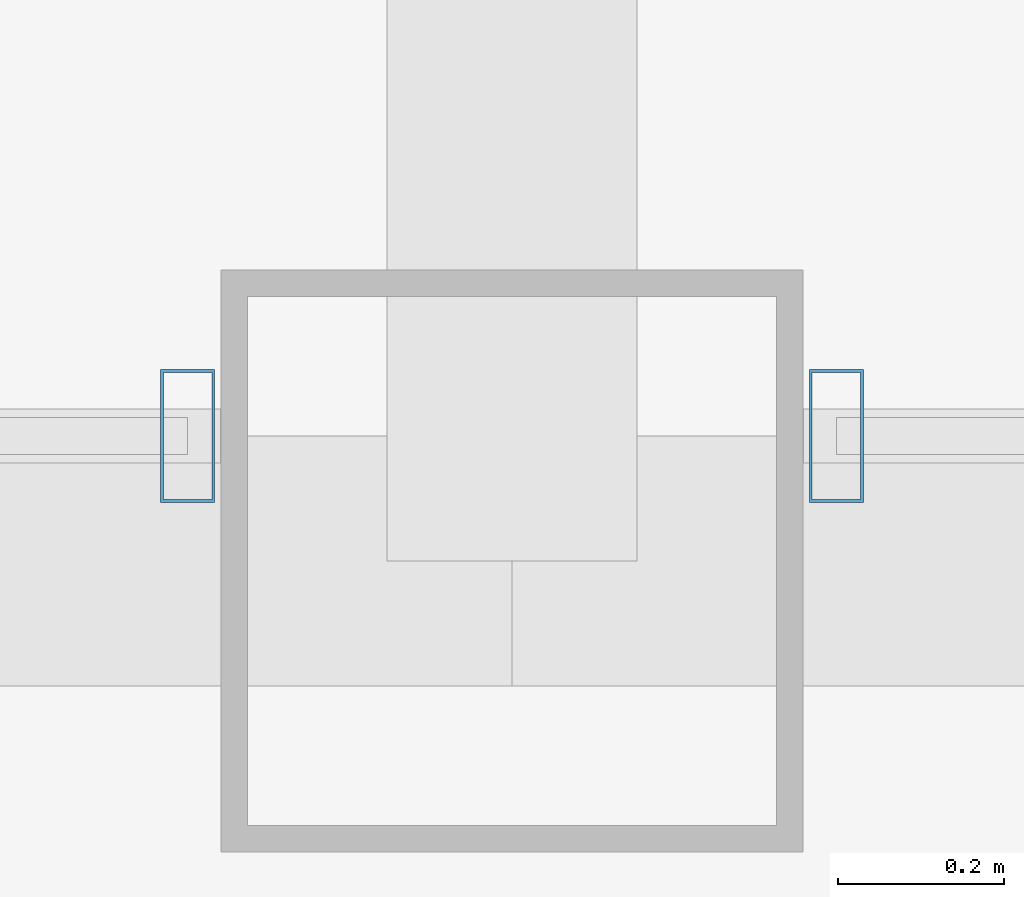
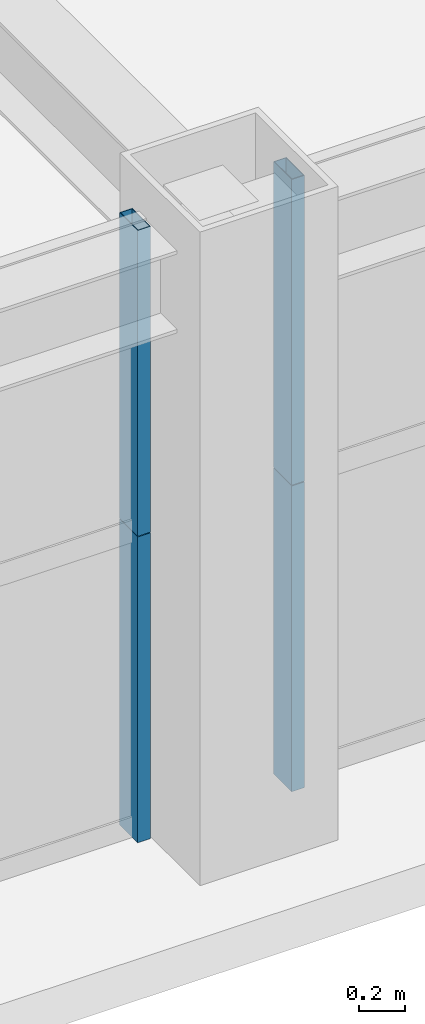
# One storey, part 9 of 36: 4 members, 2 elements without a shape of their own.
"""IFC4 building model written with IfcOpenShell, lengths in metres."""

from ifc_helpers import new_model, si_unit, direction, frame, origin, origin_2d, place, context, subcontext, project, spatial, hollow_rectangle, extrude, source, transform, mapped, material, layer, layer_set, material_profile, profile_set, type_object, element, aggregate, save


model = new_model("IFC4")

# Units and contexts
model_context = context("Model", 3, precision=1e-05, world=origin(), true_north=direction((0.0, 1.0)))
body_context = subcontext(model_context, "Body", "Model", "MODEL_VIEW")
ifc_project = project(units=[si_unit("LENGTHUNIT", "METRE"), si_unit("AREAUNIT", "SQUARE_METRE"), si_unit("VOLUMEUNIT", "CUBIC_METRE"), si_unit("PLANEANGLEUNIT", "RADIAN"), si_unit("MASSUNIT", "GRAM", prefix="KILO"), si_unit("THERMODYNAMICTEMPERATUREUNIT", "KELVIN"), si_unit("POWERUNIT", "WATT")], contexts=[model_context])

# Site, building, storey
site_placement = place(None, origin())
site = spatial("IfcSite", under=ifc_project, at=site_placement, CompositionType="ELEMENT")
building_placement = place(site_placement, origin())
building = spatial("IfcBuilding", under=site, at=building_placement, Name="Yuzanri Waterfront Tower", CompositionType="ELEMENT")
storey_placement = place(building_placement, frame((0.0, 0.0, 238.10009765625)))
storey = spatial("IfcBuildingStorey", under=building, at=storey_placement, Name="L63", CompositionType="ELEMENT", Elevation=238.10009765625)

# Curtain wall, members
ifc_material_1 = material(Name="Anodized Architectural Bronze", Category="metal")
ifc_layer = layer(ifc_material_1, 0.159912109375)
ifc_layer_set = layer_set([ifc_layer], Name="Anodized Architectural Bronze")
curtain_wall_type = type_object("IfcCurtainWallType", Name="Anodized Bronze Mid-Rise Residential Acoustic Unitized Curtain Wall 7200", PredefinedType="NOTDEFINED", material=ifc_layer_set)
curtain_wall_1_placement = place(storey_placement, origin())
curtain_wall_1 = element("IfcCurtainWall", 1, at=curtain_wall_1_placement, inside=storey, type_object=curtain_wall_type, Name="L63 Curtain Wall CW-L63-SL", PredefinedType="NOTDEFINED")
ifc_material_2 = material(Name="Anodized Architectural Bronze", Category="metal")
ifc_material_profile = material_profile(ifc_material_2, hollow_rectangle(XDim=0.06494140625, YDim=0.159912109375, WallThickness=0.00341796875, at=origin_2d()), Name="CWM 65x160")
ifc_profile_set = profile_set([ifc_material_profile], Name="Anodized Architectural Bronze")
member_type = type_object("IfcMemberType", Name="Anodized Bronze Upper-Zone Curtain-Wall Mullion 65x160", PredefinedType="MULLION", material=ifc_profile_set)
shared_shape = source(origin(), body_context, "Body", "SweptSolid", [
    extrude(hollow_rectangle(XDim=0.06494140625, YDim=0.159912109375, WallThickness=0.00341796875, at=origin_2d()), origin(), (0.0, 0.0, 1.0), 1.637939453125),
])
member_1_placement = place(storey_placement, frame((36.610107421875, 5.35009765625, 0.0), z_axis=(0.0, 0.0, 1.0), x_axis=(1.0, 0.0, 0.0)))
member_1 = element("IfcMember", 2, at=member_1_placement, type_object=member_type, Name="CW-L63-SL Lower Mullion 02", PredefinedType="MULLION", context=body_context, shape_type="MappedRepresentation", body=[
    mapped(shared_shape, transform((0.0, 0.0, 0.0), scale=1.0)),
])
member_2_placement = place(storey_placement, frame((36.610107421875, 5.35009765625, 1.641845703125), z_axis=(0.0, 0.0, 1.0), x_axis=(1.0, 0.0, 0.0)))
member_2 = element("IfcMember", 3, at=member_2_placement, type_object=member_type, Name="CW-L63-SL Upper Mullion 02", PredefinedType="MULLION", context=body_context, shape_type="MappedRepresentation", body=[
    mapped(shared_shape, transform((0.0, 0.0, 0.0), scale=1.0)),
])
aggregate(curtain_wall_1, [member_1, member_2])

curtain_wall_2_placement = place(storey_placement, origin())
curtain_wall_2 = element("IfcCurtainWall", 4, at=curtain_wall_2_placement, inside=storey, type_object=curtain_wall_type, Name="L63 Curtain Wall CW-L63-SR", PredefinedType="NOTDEFINED")
member_3_placement = place(storey_placement, frame((37.389892578125, 5.35009765625, 0.0), z_axis=(0.0, 0.0, 1.0), x_axis=(1.0, 0.0, 0.0)))
member_3 = element("IfcMember", 5, at=member_3_placement, type_object=member_type, Name="CW-L63-SR Lower Mullion 00", PredefinedType="MULLION", context=body_context, shape_type="MappedRepresentation", body=[
    mapped(shared_shape, transform((0.0, 0.0, 0.0), scale=1.0)),
])
member_4_placement = place(storey_placement, frame((37.389892578125, 5.35009765625, 1.641845703125), z_axis=(0.0, 0.0, 1.0), x_axis=(1.0, 0.0, 0.0)))
member_4 = element("IfcMember", 6, at=member_4_placement, type_object=member_type, Name="CW-L63-SR Upper Mullion 00", PredefinedType="MULLION", context=body_context, shape_type="MappedRepresentation", body=[
    mapped(shared_shape, transform((0.0, 0.0, 0.0), scale=1.0)),
])
aggregate(curtain_wall_2, [member_3, member_4])

save(model, "model.ifc")
